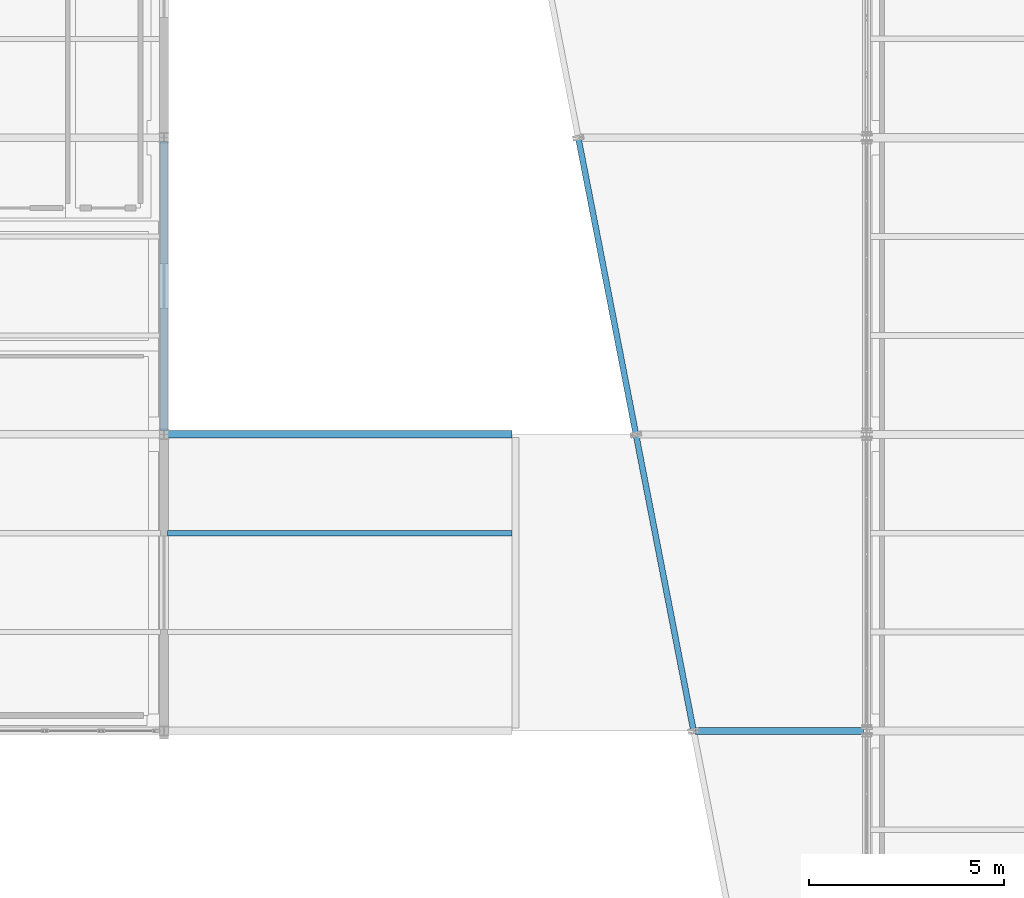
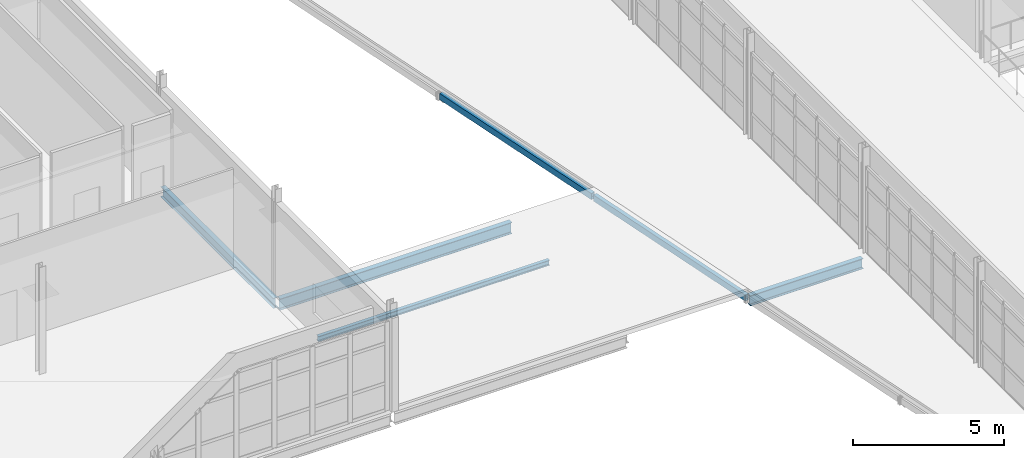
# One storey, part 43 of 96: 6 beams.
"""IFC4 building model written with IfcOpenShell, lengths in metres."""

from ifc_helpers import new_model, si_unit, direction, frame, origin, origin_2d, place, context, subcontext, project, spatial, hollow_rectangle, i_section, extrude, material, material_profile, profile_set, type_object, element, save


model = new_model("IFC4")

# Units and contexts
model_context = context("Model", 3, precision=1e-05, world=origin(), true_north=direction((0.0, 1.0)))
body_context = subcontext(model_context, "Body", "Model", "MODEL_VIEW")
ifc_project = project(units=[si_unit("LENGTHUNIT", "METRE"), si_unit("AREAUNIT", "SQUARE_METRE"), si_unit("VOLUMEUNIT", "CUBIC_METRE"), si_unit("PLANEANGLEUNIT", "RADIAN"), si_unit("MASSUNIT", "GRAM", prefix="KILO")], contexts=[model_context])

# Site, building, storey
site_placement = place(None, origin())
site = spatial("IfcSite", under=ifc_project, at=site_placement, CompositionType="ELEMENT")
building_placement = place(site_placement, origin())
building = spatial("IfcBuilding", under=site, at=building_placement, Name="Caisbarro Railhouse Central Library", CompositionType="ELEMENT")
storey_placement = place(building_placement, frame((0.0, 0.0, 13.679931640625)))
storey = spatial("IfcBuildingStorey", under=building, at=storey_placement, Name="L03", CompositionType="ELEMENT", Elevation=13.679931640625)

# Beams
ifc_material = material(Name="Steel ASTM A572 Grade 50", Category="steel")
ifc_material_profile_1 = material_profile(ifc_material, i_section(OverallWidth=0.180908203125, OverallDepth=0.4169921875, WebThickness=0.010986328125, FlangeThickness=0.018310546875, FilletRadius=0.01611328125, at=origin_2d()), Name="W410X85.0")
ifc_profile_set_1 = profile_set([ifc_material_profile_1], Name="Steel ASTM A572 Grade 50")
beam_type_1 = type_object("IfcBeamType", Name="BM-G09", PredefinedType="BEAM", material=ifc_profile_set_1)
beam_1_placement = place(storey_placement, frame((112.617919921875, 83.60009765625, -0.388427734375), z_axis=(1.0, 0.0, 0.0), x_axis=(0.0, 1.0, 0.0)))
element("IfcBeam", 1, at=beam_1_placement, inside=storey, type_object=beam_type_1, Name="G09 beam L03 #2431", PredefinedType="BEAM", context=body_context, shape_type="SweptSolid", body=[
    extrude(i_section(OverallWidth=0.180908203125, OverallDepth=0.4169921875, WebThickness=0.010986328125, FlangeThickness=0.018310546875, FilletRadius=0.01611328125, at=origin_2d()), origin(), (0.0, 0.0, 1.0), 4.302001953125),
])
ifc_material_profile_2 = material_profile(ifc_material, i_section(OverallWidth=0.177978515625, OverallDepth=0.406982421875, WebThickness=0.0078125, FlangeThickness=0.0126953125, FilletRadius=0.01611328125, at=origin_2d()), Name="W410X60.0")
ifc_profile_set_2 = profile_set([ifc_material_profile_2], Name="Steel ASTM A572 Grade 50")
beam_type_2 = type_object("IfcBeamType", Name="BM-G10", PredefinedType="BEAM", material=ifc_profile_set_2)
beam_2_placement = place(storey_placement, frame((99.0, 91.280029296875, -0.4033203125), z_axis=(0.0, 1.0, 0.0), x_axis=(-1.0, 0.0, 0.0)))
element("IfcBeam", 2, at=beam_2_placement, inside=storey, type_object=beam_type_2, Name="G10 beam L03 #1991", PredefinedType="BEAM", context=body_context, shape_type="SweptSolid", body=[
    extrude(i_section(OverallWidth=0.177978515625, OverallDepth=0.406982421875, WebThickness=0.0078125, FlangeThickness=0.0126953125, FilletRadius=0.01611328125, at=origin_2d()), origin(), (0.0, 0.0, 1.0), 7.43994140625),
])
ifc_material_profile_3 = material_profile(ifc_material, i_section(OverallWidth=0.133056640625, OverallDepth=0.20703125, WebThickness=0.005859375, FlangeThickness=0.00830078125, FilletRadius=0.010009765625, at=origin_2d()), Name="W200X26.6")
ifc_profile_set_3 = profile_set([ifc_material_profile_3], Name="Steel ASTM A572 Grade 50")
beam_type_3 = type_object("IfcBeamType", Name="BM-J07", PredefinedType="JOIST", material=ifc_profile_set_3)
beam_3_placement = place(storey_placement, frame((99.089111328125, 88.666748046875, -0.283447265625), z_axis=(1.0, 0.0, 0.0), x_axis=(0.0, 1.0, 0.0)))
element("IfcBeam", 3, at=beam_3_placement, inside=storey, type_object=beam_type_3, Name="J07 beam L03 #2337", PredefinedType="JOIST", context=body_context, shape_type="SweptSolid", body=[
    extrude(i_section(OverallWidth=0.133056640625, OverallDepth=0.20703125, WebThickness=0.005859375, FlangeThickness=0.00830078125, FilletRadius=0.010009765625, at=origin_2d()), origin(), (0.0, 0.0, 1.0), 8.82177734375),
])
ifc_material_profile_4 = material_profile(ifc_material, i_section(OverallWidth=0.18994140625, OverallDepth=0.45703125, WebThickness=0.009033203125, FlangeThickness=0.014404296875, FilletRadius=0.01806640625, at=origin_2d()), Name="W460X74.0")
ifc_profile_set_4 = profile_set([ifc_material_profile_4], Name="Steel ASTM A572 Grade 50")
beam_type_4 = type_object("IfcBeamType", Name="BM-SP01", PredefinedType="SPANDREL", material=ifc_profile_set_4)
beam_4_placement = place(storey_placement, frame((99.080078125, 91.199951171875, -0.408447265625), z_axis=(1.0, 0.0, 0.0), x_axis=(0.0, 1.0, 0.0)))
element("IfcBeam", 4, at=beam_4_placement, inside=storey, type_object=beam_type_4, Name="SP01 beam L03 #2334", PredefinedType="SPANDREL", context=body_context, shape_type="SweptSolid", body=[
    extrude(i_section(OverallWidth=0.18994140625, OverallDepth=0.45703125, WebThickness=0.009033203125, FlangeThickness=0.014404296875, FilletRadius=0.01806640625, at=origin_2d()), origin(), (0.0, 0.0, 1.0), 8.83984375),
])
ifc_material_profile_5 = material_profile(ifc_material, hollow_rectangle(XDim=0.14990234375, YDim=0.25, WallThickness=0.010009765625, at=origin_2d()), Name="HSS250X150X10")
ifc_profile_set_5 = profile_set([ifc_material_profile_5], Name="Steel ASTM A572 Grade 50")
beam_type_5 = type_object("IfcBeamType", Name="BM-SP03", PredefinedType="SPANDREL", material=ifc_profile_set_5)
beam_5_placement = place(storey_placement, frame((112.55859375, 83.649169921875, -0.304931640625), z_axis=(-0.190786715317, 0.98163151399, 0.0), x_axis=(-0.98163151399, -0.190786715317, 0.0)))
element("IfcBeam", 5, at=beam_5_placement, inside=storey, type_object=beam_type_5, Name="SP03 beam L03 #2427", PredefinedType="SPANDREL", context=body_context, shape_type="SweptSolid", body=[
    extrude(hollow_rectangle(XDim=0.14990234375, YDim=0.25, WallThickness=0.010009765625, at=origin_2d()), origin(), (0.0, 0.0, 1.0), 7.64208984375),
])
beam_6_placement = place(storey_placement, frame((111.08154296875, 91.2490234375, -0.304931640625), z_axis=(-0.190780732419, 0.981632676788, 0.0), x_axis=(-0.981632676788, -0.190780732419, 0.0)))
element("IfcBeam", 6, at=beam_6_placement, inside=storey, type_object=beam_type_5, Name="SP03 beam L03 #2428", PredefinedType="SPANDREL", context=body_context, shape_type="SweptSolid", body=[
    extrude(hollow_rectangle(XDim=0.14990234375, YDim=0.25, WallThickness=0.010009765625, at=origin_2d()), origin(), (0.0, 0.0, 1.0), 7.642333984375),
])

save(model, "model.ifc")
